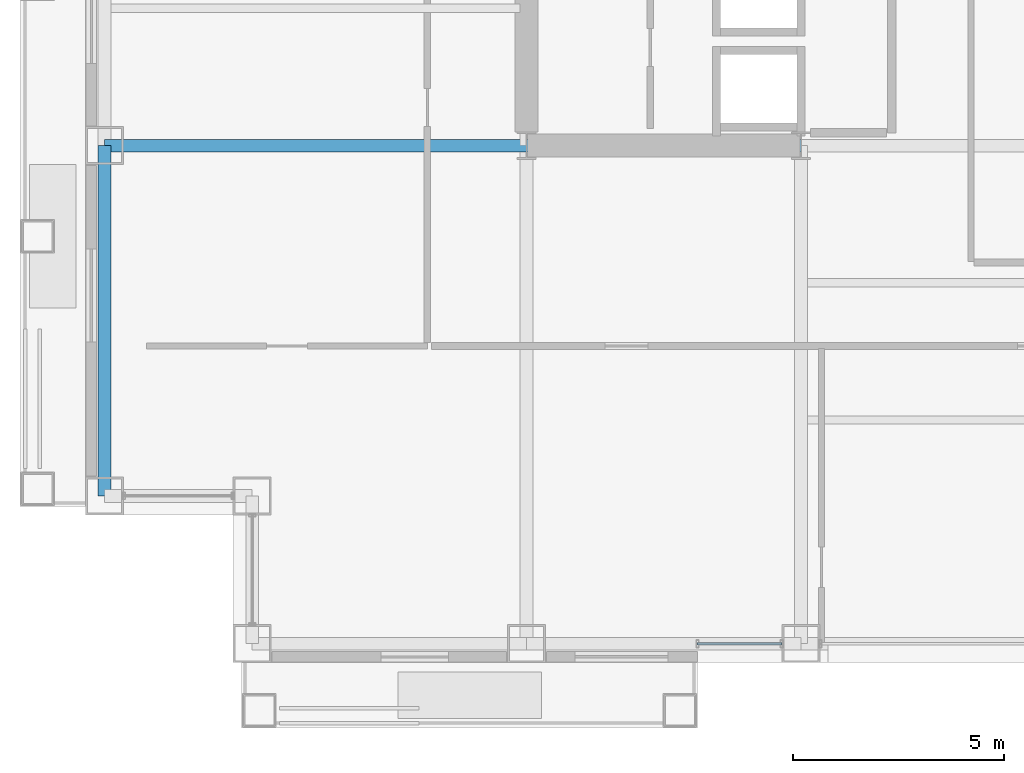
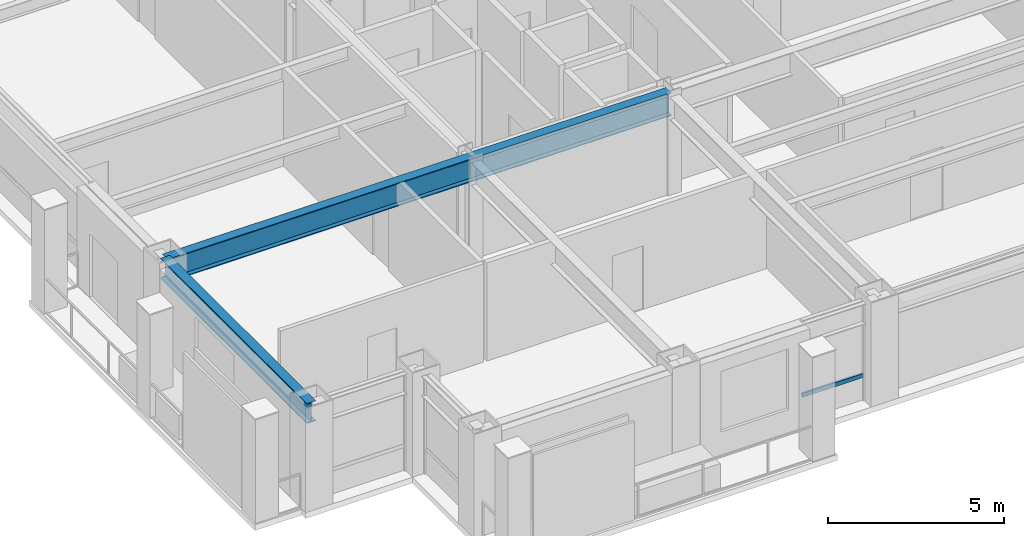
# One storey, part 4 of 29: 3 beams, 1 member, 1 element without a shape of its own.
"""IFC4 building model written with IfcOpenShell, lengths in metres."""

from ifc_helpers import new_model, si_unit, direction, frame, origin, origin_2d, place, context, subcontext, project, spatial, hollow_rectangle, i_section, extrude, material, layer, layer_set, material_profile, profile_set, type_object, element, aggregate, save


model = new_model("IFC4")

# Units and contexts
model_context = context("Model", 3, precision=1e-05, world=origin(), true_north=direction((0.0, 1.0)))
body_context = subcontext(model_context, "Body", "Model", "MODEL_VIEW")
ifc_project = project(units=[si_unit("LENGTHUNIT", "METRE"), si_unit("AREAUNIT", "SQUARE_METRE"), si_unit("VOLUMEUNIT", "CUBIC_METRE"), si_unit("PLANEANGLEUNIT", "RADIAN"), si_unit("MASSUNIT", "GRAM", prefix="KILO")], contexts=[model_context])

# Site, building, storey
site_placement = place(None, origin())
site = spatial("IfcSite", under=ifc_project, at=site_placement, CompositionType="ELEMENT")
building_placement = place(site_placement, origin())
building = spatial("IfcBuilding", under=site, at=building_placement, Name="Brelmoor Portico Tower", CompositionType="ELEMENT")
storey_placement = place(building_placement, frame((0.0, 0.0, 60.0)))
storey = spatial("IfcBuildingStorey", under=building, at=storey_placement, Name="L15", CompositionType="ELEMENT", Elevation=60.0)

# Beams
ifc_material_1 = material(Name="Steel Q355B", Category="steel")
ifc_material_profile_1 = material_profile(ifc_material_1, i_section(OverallWidth=0.300048828125, OverallDepth=0.800048828125, WebThickness=0.013916015625, FlangeThickness=0.02587890625, at=origin_2d()), Name="HN 800x300x14x26")
ifc_profile_set_1 = profile_set([ifc_material_profile_1], Name="Steel Q355B")
beam_type_1 = type_object("IfcBeamType", Name="BM-PG-800", PredefinedType="BEAM", material=ifc_profile_set_1)
beam_1_placement = place(storey_placement, frame((-24.550048828125, -9.75, 3.0), z_axis=(1.0, 0.0, 0.0), x_axis=(0.0, 1.0, 0.0)))
element("IfcBeam", 1, at=beam_1_placement, inside=storey, type_object=beam_type_1, Name="L15 Primary Floor Girder PG-19", PredefinedType="BEAM", context=body_context, shape_type="SweptSolid", body=[
    extrude(i_section(OverallWidth=0.300048828125, OverallDepth=0.800048828125, WebThickness=0.013916015625, FlangeThickness=0.02587890625, at=origin_2d()), origin(), (0.0, 0.0, 1.0), 10.0),
])
beam_2_placement = place(storey_placement, frame((-14.550048828125, -9.75, 3.0), z_axis=(1.0, 0.0, 0.0), x_axis=(0.0, 1.0, 0.0)))
element("IfcBeam", 2, at=beam_2_placement, inside=storey, type_object=beam_type_1, Name="L15 Primary Floor Girder PG-20", PredefinedType="BEAM", context=body_context, shape_type="SweptSolid", body=[
    extrude(i_section(OverallWidth=0.300048828125, OverallDepth=0.800048828125, WebThickness=0.013916015625, FlangeThickness=0.02587890625, at=origin_2d()), origin(), (0.0, 0.0, 1.0), 6.5),
])
ifc_material_profile_2 = material_profile(ifc_material_1, i_section(OverallWidth=0.300048828125, OverallDepth=0.699951171875, WebThickness=0.012939453125, FlangeThickness=0.02392578125, at=origin_2d()), Name="HN 700x300x13x24")
ifc_profile_set_2 = profile_set([ifc_material_profile_2], Name="Steel Q355B")
beam_type_2 = type_object("IfcBeamType", Name="BM-SP-700", PredefinedType="SPANDREL", material=ifc_profile_set_2)
beam_3_placement = place(storey_placement, frame((-24.550048828125, -18.050048828125, 3.050048828125), z_axis=(0.0, 1.0, 0.0), x_axis=(-1.0, 0.0, 0.0)))
element("IfcBeam", 3, at=beam_3_placement, inside=storey, type_object=beam_type_2, Name="L15 Perimeter Spandrel Beam SP-15", PredefinedType="SPANDREL", context=body_context, shape_type="SweptSolid", body=[
    extrude(i_section(OverallWidth=0.300048828125, OverallDepth=0.699951171875, WebThickness=0.012939453125, FlangeThickness=0.02392578125, at=origin_2d()), origin(), (0.0, 0.0, 1.0), 8.300048828125),
])

# Curtain wall, member
ifc_material_2 = material(Name="Anodised Aluminium Alloy 6063-T6", Category="aluminium")
ifc_layer = layer(ifc_material_2, 0.179931640625)
ifc_layer_set = layer_set([ifc_layer], Name="Anodised Aluminium Alloy 6063-T6")
curtain_wall_type = type_object("IfcCurtainWallType", Name="CW-TOWER-Z1", PredefinedType="NOTDEFINED", material=ifc_layer_set)
curtain_wall_placement = place(storey_placement, origin())
curtain_wall = element("IfcCurtainWall", 4, at=curtain_wall_placement, inside=storey, type_object=curtain_wall_type, Name="L15 Curtain Wall CW-L15-1R-1", PredefinedType="NOTDEFINED")
ifc_material_profile_3 = material_profile(ifc_material_2, hollow_rectangle(XDim=0.06494140625, YDim=0.139892578125, WallThickness=0.00390625, at=origin_2d()), Name="ALU TRANSOM 65x140")
ifc_profile_set_3 = profile_set([ifc_material_profile_3], Name="Anodised Aluminium Alloy 6063-T6")
member_type = type_object("IfcMemberType", Name="MB-CW-TRAN-140", PredefinedType="USERDEFINED", material=ifc_profile_set_3)
member_placement = place(storey_placement, frame((-10.5, -21.550048828125, 0.85009765625), z_axis=(1.0, 0.0, 0.0), x_axis=(0.0, 1.0, 0.0)))
member = element("IfcMember", 5, at=member_placement, type_object=member_type, Name="CW-L15-1R-1 Transom 1-00", ObjectType="TRANSOM", PredefinedType="USERDEFINED", context=body_context, shape_type="SweptSolid", body=[
    extrude(hollow_rectangle(XDim=0.06494140625, YDim=0.139892578125, WallThickness=0.00390625, at=origin_2d()), origin(), (0.0, 0.0, 1.0), 1.989990234375),
])
aggregate(curtain_wall, [member])

save(model, "model.ifc")
